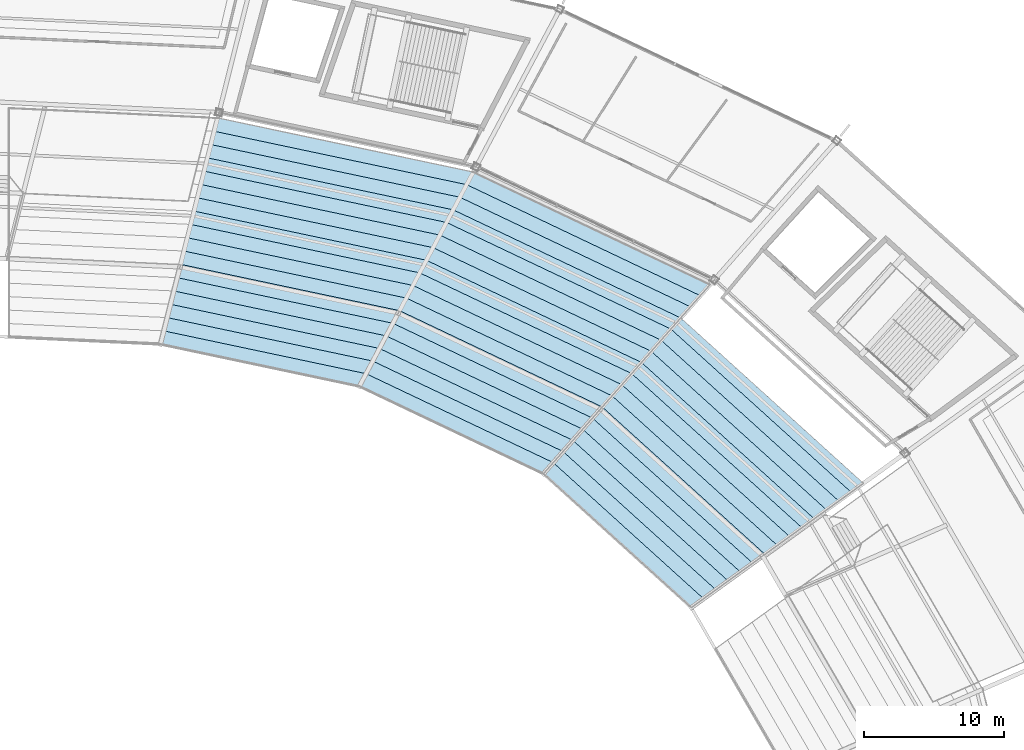
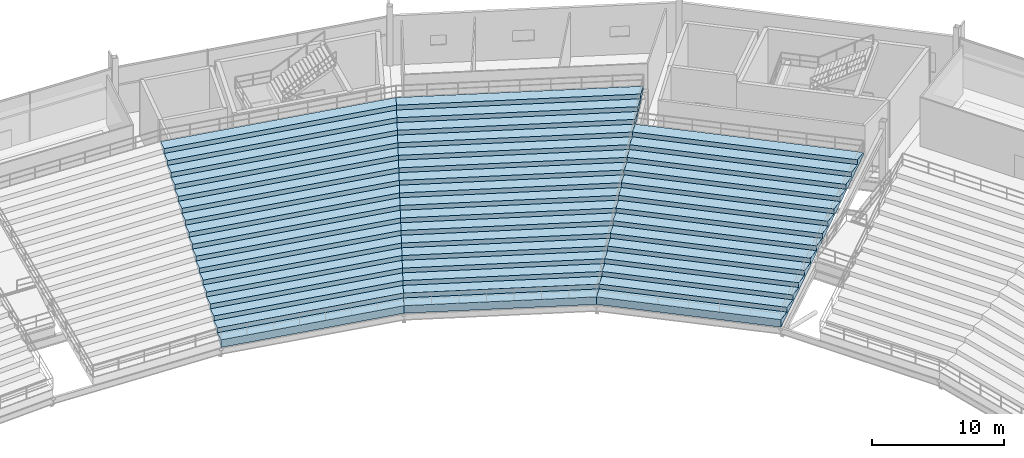
# One storey, part 139 of 186: 3 slabs.
"""IFC4 building model written with IfcOpenShell, lengths in metres."""

import ifcopenshell
import ifcopenshell.guid

model = None  # the IFC model being written
_history = None  # IfcOwnerHistory: only IFC2X3 demands one
_inside = {}  # id of a spatial element -> (the spatial element, [elements in it])
_under = {}  # id of a project, library or spatial element -> (it, [spatial elements below it])
_declared = {}  # id of a project -> (the project, [libraries it declares])
_typed = {}  # id of a type object -> (the type object, [elements of that type])
_made_of = {}  # id of a material, layer set ... -> (it, [elements and type objects made of it])


def new_model(schema):
    """Start an empty IFC model of exactly this schema.

    Asked for "IFC4X3", IfcOpenShell would pick the latest addendum, in which some entities
    have other attributes; the version numbers below select the first issue.
    IFC2X3 requires an IfcOwnerHistory on every rooted entity: one is made here for all.
    """
    global model, _history
    if schema == "IFC4X3":
        model = ifcopenshell.file(schema_version=(4, 3, 0, 0))
    else:
        model = ifcopenshell.file(schema=schema)
    _inside.clear()
    _under.clear()
    _declared.clear()
    _typed.clear()
    _made_of.clear()
    _history = None
    if model.schema == "IFC2X3":
        org = make("IfcOrganization", Name="unknown")
        user = make(
            "IfcPersonAndOrganization",
            ThePerson=make("IfcPerson", FamilyName="unknown"),
            TheOrganization=org,
        )
        app = make(
            "IfcApplication",
            ApplicationDeveloper=org,
            Version="unknown",
            ApplicationFullName="unknown",
            ApplicationIdentifier="unknown",
        )
        _history = make(
            "IfcOwnerHistory",
            OwningUser=user,
            OwningApplication=app,
            ChangeAction="ADDED",
            CreationDate=0,
        )
    return model


def make(cls, **values):
    """One entity of the class cls with the attributes given. An attribute that is None is left unset."""
    return model.create_entity(
        cls, **{name: value for name, value in values.items() if value is not None}
    )


def rooted(cls, **values):
    """An entity with a GlobalId (a new one), such as an element, a storey or a relation."""
    return make(cls, GlobalId=ifcopenshell.guid.new(), OwnerHistory=_history, **values)


def si_unit(unit_type, name, prefix=None):
    """IfcSIUnit, for example si_unit("LENGTHUNIT", "METRE", prefix="MILLI")."""
    return make("IfcSIUnit", UnitType=unit_type, Prefix=prefix, Name=name)


def assignment(units):
    """IfcUnitAssignment: the units of a project."""
    return None if units is None else make("IfcUnitAssignment", Units=units)


def point(xyz):
    """IfcCartesianPoint."""
    return None if xyz is None else make("IfcCartesianPoint", Coordinates=xyz)


def direction(xyz):
    """IfcDirection."""
    return None if xyz is None else make("IfcDirection", DirectionRatios=xyz)


def frame(location, z_axis=None, x_axis=None):
    """IfcAxis2Placement3D, a coordinate frame: its origin and axes. An axis left out is left unset."""
    return make(
        "IfcAxis2Placement3D",
        Location=point(location),
        Axis=direction(z_axis),
        RefDirection=direction(x_axis),
    )


def origin():
    """The frame at (0, 0, 0) with its axes left unset."""
    return frame((0.0, 0.0, 0.0))


def place(relative_to, where):
    """IfcLocalPlacement: puts the frame where relative to a parent placement (None: the world)."""
    return make(
        "IfcLocalPlacement", PlacementRelTo=relative_to, RelativePlacement=where
    )


def context(
    kind, dimensions, precision=None, world=None, true_north=None, identifier=None
):
    """IfcGeometricRepresentationContext, for example the 3D "Model" context."""
    return make(
        "IfcGeometricRepresentationContext",
        ContextIdentifier=identifier,
        ContextType=kind,
        CoordinateSpaceDimension=dimensions,
        Precision=precision,
        WorldCoordinateSystem=world,
        TrueNorth=true_north,
    )


def subcontext(parent, identifier, kind, view, scale=None):
    """IfcGeometricRepresentationSubContext, for example "Body" below "Model"."""
    return make(
        "IfcGeometricRepresentationSubContext",
        ContextIdentifier=identifier,
        ContextType=kind,
        ParentContext=parent,
        TargetScale=scale,
        TargetView=view,
    )


def project(units=None, contexts=None):
    """IfcProject with its units and contexts."""
    return rooted(
        "IfcProject",
        Name="project",
        RepresentationContexts=contexts,
        UnitsInContext=assignment(units),
    )


def spatial(cls, under=None, at=None, **own):
    """A site, building, storey or space (cls), placed at a placement, below another one or the project."""
    s = rooted(cls, ObjectPlacement=at, **own)
    if under is not None:
        _under.setdefault(under.id(), (under, []))[1].append(s)
    return s


def point_list(points):
    """IfcCartesianPointList2D or 3D."""
    cls = (
        "IfcCartesianPointList2D" if len(points[0]) == 2 else "IfcCartesianPointList3D"
    )
    return make(cls, CoordList=points)


def polygons(points, faces, closed=None, point_numbers=None):
    """IfcPolygonalFaceSet: a face is its outer loop, then its inner loops; points numbered from 1."""
    made = []
    for loops in faces:
        if len(loops) == 1:
            made.append(make("IfcIndexedPolygonalFace", CoordIndex=loops[0]))
        else:
            made.append(
                make(
                    "IfcIndexedPolygonalFaceWithVoids",
                    CoordIndex=loops[0],
                    InnerCoordIndices=loops[1:],
                )
            )
    return make(
        "IfcPolygonalFaceSet",
        Coordinates=point_list(points),
        Closed=closed,
        Faces=made,
        PnIndex=point_numbers,
    )


def shape(context_of_items, identifier, shape_type, items):
    """IfcShapeRepresentation: the items that make up one representation, for example the "Body"."""
    return make(
        "IfcShapeRepresentation",
        ContextOfItems=context_of_items,
        RepresentationIdentifier=identifier,
        RepresentationType=shape_type,
        Items=items,
    )


def material(Name=None, Category=None):
    """IfcMaterial."""
    return make("IfcMaterial", Name=Name, Category=Category)


def layer(
    of_material, thickness, ventilated=None, Name=None, Category=None, Priority=None
):
    """IfcMaterialLayer: one layer of a wall or slab, of a material (None: an air gap)."""
    return make(
        "IfcMaterialLayer",
        Material=of_material,
        LayerThickness=thickness,
        IsVentilated=ventilated,
        Name=Name,
        Category=Category,
        Priority=Priority,
    )


def layer_set(layers, Name=None):
    """IfcMaterialLayerSet."""
    return make("IfcMaterialLayerSet", MaterialLayers=layers, LayerSetName=Name)


def made_of(thing, what):
    """Note that an element or type object is made of a material, layer set ...; save() writes the relation."""
    if what is not None:
        _made_of.setdefault(what.id(), (what, []))[1].append(thing)
    return thing


def type_object(cls, material=None, **own):
    """A type object (cls), such as IfcWallType, which elements share."""
    return made_of(rooted(cls, **own), material)


def element(
    cls,
    number,
    at=None,
    inside=None,
    cuts=None,
    type_object=None,
    material=None,
    context=None,
    identifier="Body",
    shape_type=None,
    held_by="IfcProductDefinitionShape",
    body=None,
    shapes=None,
    **own,
):
    """One element of the class cls, such as IfcWall. Its Tag is "e" and its number.

    at: its placement. inside: the storey or other place that contains it. cuts: it is an
    opening in that element (IfcRelVoidsElement). A single representation is given by context,
    identifier, shape_type and body (its items); several are given by shapes. held_by: the class
    of the entity that holds the representations. save() writes the other relations.
    """
    e = rooted(cls, Tag="e%d" % number, ObjectPlacement=at, **own)
    if body is not None:
        shapes = [shape(context, identifier, shape_type, body)]
    if shapes is not None:
        e.Representation = make(held_by, Representations=shapes)
    if inside is not None:
        _inside.setdefault(inside.id(), (inside, []))[1].append(e)
    if cuts is not None:
        rooted(
            "IfcRelVoidsElement", RelatingBuildingElement=cuts, RelatedOpeningElement=e
        )
    if type_object is not None:
        _typed.setdefault(type_object.id(), (type_object, []))[1].append(e)
    return made_of(e, material)


def aggregate(whole, parts):
    """IfcRelAggregates: a whole, such as a stair, and the parts it consists of."""
    return rooted("IfcRelAggregates", RelatingObject=whole, RelatedObjects=parts)


def save(model, path):
    """Write the relations noted so far, then the file.

    IfcRelAggregates (storeys below a building ...), IfcRelContainedInSpatialStructure (elements
    in a storey), IfcRelDefinesByType, IfcRelAssociatesMaterial and IfcRelDeclares: one each for
    every whole, place, type object, material and project.
    """
    for whole, parts in _under.values():
        aggregate(whole, parts)
    for where, things in _inside.values():
        rooted(
            "IfcRelContainedInSpatialStructure",
            RelatedElements=things,
            RelatingStructure=where,
        )
    for kind, things in _typed.values():
        rooted("IfcRelDefinesByType", RelatedObjects=things, RelatingType=kind)
    for what, things in _made_of.values():
        rooted("IfcRelAssociatesMaterial", RelatedObjects=things, RelatingMaterial=what)
    for by, libraries in _declared.values():
        rooted("IfcRelDeclares", RelatingContext=by, RelatedDefinitions=libraries)
    model.write(path)


model = new_model("IFC4")

# Units and contexts
model_context = context("Model", 3, precision=1e-05, world=origin(), true_north=direction((0.0, 1.0)))
body_context = subcontext(model_context, "Body", "Model", "MODEL_VIEW")
ifc_project = project(units=[si_unit("LENGTHUNIT", "METRE"), si_unit("AREAUNIT", "SQUARE_METRE"), si_unit("VOLUMEUNIT", "CUBIC_METRE"), si_unit("PLANEANGLEUNIT", "RADIAN"), si_unit("MASSUNIT", "GRAM", prefix="KILO")], contexts=[model_context])

# Site, building, storey
site_placement = place(None, origin())
site = spatial("IfcSite", under=ifc_project, at=site_placement, CompositionType="ELEMENT")
building_placement = place(site_placement, origin())
building = spatial("IfcBuilding", under=site, at=building_placement, Name="Kazemori Nagisa Stadium", CompositionType="ELEMENT")
storey_placement = place(building_placement, frame((0.0, 0.0, 20.39990234375)))
storey = spatial("IfcBuildingStorey", under=building, at=storey_placement, Name="L04", CompositionType="ELEMENT", Elevation=20.39990234375)

# Slabs
ifc_material = material(Name="Concrete C36/45 (Fc36)", Category="concrete")
ifc_layer_1 = layer(ifc_material, 6.419921875, Name="Concrete C36/45 (Fc36)", Category="concrete")
ifc_layer_set_1 = layer_set([ifc_layer_1], Name="Concrete C36/45 (Fc36)")
slab_type_1 = type_object("IfcSlabType", Name="SeatingTier_ST-UP-14E", PredefinedType="USERDEFINED", material=ifc_layer_set_1)
slab_1_placement = place(storey_placement, frame((0.0, 0.0, -20.39990234375)))
element("IfcSlab", 1, at=slab_1_placement, inside=storey, type_object=slab_type_1, Name="Stand upper tier bay 04", ObjectType="SEATING TIER", PredefinedType="USERDEFINED", context=body_context, shape_type="Tessellation", body=[
    polygons([(164.627685546875, 149.254150390625, 18.820068359375), (164.627685546875, 149.254150390625, 19.52001953125), (165.328857421875, 150.050048828125, 19.52001953125), (165.328857421875, 150.050048828125, 19.9599609375), (166.02978515625, 150.845947265625, 19.9599609375), (166.02978515625, 150.845947265625, 20.39990234375), (166.73095703125, 151.641845703125, 20.39990234375), (166.73095703125, 151.641845703125, 20.83984375), (167.43212890625, 152.4375, 20.83984375), (167.43212890625, 152.4375, 21.27978515625), (168.13330078125, 153.2333984375, 21.27978515625), (168.13330078125, 153.2333984375, 21.7197265625), (168.834228515625, 154.029296875, 21.7197265625), (168.834228515625, 154.029296875, 22.15966796875), (169.535400390625, 154.8251953125, 22.15966796875), (169.535400390625, 154.8251953125, 22.599609375), (170.236572265625, 155.62109375, 22.599609375), (170.236572265625, 155.62109375, 23.03955078125), (170.9375, 156.4169921875, 23.03955078125), (170.9375, 156.4169921875, 23.4794921875), (171.638671875, 157.212890625, 23.4794921875), (171.638671875, 157.212890625, 23.91943359375), (172.33984375, 158.008544921875, 23.91943359375), (172.33984375, 158.008544921875, 24.359375), (173.041015625, 158.804443359375, 24.359375), (173.041015625, 158.804443359375, 24.79931640625), (173.741943359375, 159.600341796875, 24.79931640625), (173.741943359375, 159.600341796875, 25.2392578125), (174.443115234375, 160.396240234375, 25.2392578125), (174.443115234375, 160.396240234375, 24.979248046875), (173.741943359375, 159.600341796875, 24.539306640625), (173.041015625, 158.804443359375, 24.099365234375), (172.33984375, 158.008544921875, 23.659423828125), (171.638671875, 157.212890625, 23.219482421875), (170.9375, 156.4169921875, 22.779541015625), (170.236572265625, 155.62109375, 22.339599609375), (169.535400390625, 154.8251953125, 21.899658203125), (168.834228515625, 154.029296875, 21.459716796875), (168.13330078125, 153.2333984375, 21.019775390625), (167.43212890625, 152.4375, 20.579833984375), (166.73095703125, 151.641845703125, 20.139892578125), (166.02978515625, 150.845947265625, 19.699951171875), (165.328857421875, 150.050048828125, 19.260009765625), (175.199462890625, 139.68408203125, 18.820068359375), (175.199462890625, 139.68408203125, 19.52001953125), (176.07861328125, 140.31884765625, 19.52001953125), (176.07861328125, 140.31884765625, 19.9599609375), (176.957763671875, 140.953369140625, 19.9599609375), (176.957763671875, 140.953369140625, 20.39990234375), (177.8369140625, 141.588134765625, 20.39990234375), (177.8369140625, 141.588134765625, 20.83984375), (178.716064453125, 142.222900390625, 20.83984375), (178.716064453125, 142.222900390625, 21.27978515625), (179.59521484375, 142.857421875, 21.27978515625), (179.59521484375, 142.857421875, 21.7197265625), (180.474365234375, 143.4921875, 21.7197265625), (180.474365234375, 143.4921875, 22.15966796875), (181.353515625, 144.126953125, 22.15966796875), (181.353515625, 144.126953125, 22.599609375), (182.232666015625, 144.761474609375, 22.599609375), (182.232666015625, 144.761474609375, 23.03955078125), (183.11181640625, 145.396240234375, 23.03955078125), (183.11181640625, 145.396240234375, 23.4794921875), (183.990966796875, 146.03076171875, 23.4794921875), (183.990966796875, 146.03076171875, 23.91943359375), (184.8701171875, 146.66552734375, 23.91943359375), (184.8701171875, 146.66552734375, 24.359375), (185.749267578125, 147.30029296875, 24.359375), (185.749267578125, 147.30029296875, 24.79931640625), (186.62841796875, 147.934814453125, 24.79931640625), (186.62841796875, 147.934814453125, 25.2392578125), (187.507568359375, 148.569580078125, 25.2392578125), (187.507568359375, 148.569580078125, 24.979248046875), (186.62841796875, 147.934814453125, 24.539306640625), (185.749267578125, 147.30029296875, 24.099365234375), (184.8701171875, 146.66552734375, 23.659423828125), (183.990966796875, 146.03076171875, 23.219482421875), (183.11181640625, 145.396240234375, 22.779541015625), (182.232666015625, 144.761474609375, 22.339599609375), (181.353515625, 144.126953125, 21.899658203125), (180.474365234375, 143.4921875, 21.459716796875), (179.59521484375, 142.857421875, 21.019775390625), (178.716064453125, 142.222900390625, 20.579833984375), (177.8369140625, 141.588134765625, 20.139892578125), (176.957763671875, 140.953369140625, 19.699951171875), (176.07861328125, 140.31884765625, 19.260009765625)], [[[1, 44, 45]], [[1, 45, 2]], [[2, 45, 46]], [[2, 46, 3]], [[3, 46, 47]], [[3, 47, 4]], [[4, 47, 48]], [[4, 48, 5]], [[5, 48, 49]], [[5, 49, 6]], [[6, 49, 50]], [[6, 50, 7]], [[7, 50, 51]], [[7, 51, 8]], [[8, 51, 52]], [[8, 52, 9]], [[9, 52, 53]], [[9, 53, 10]], [[10, 53, 54]], [[10, 54, 11]], [[11, 54, 55]], [[11, 55, 12]], [[12, 55, 56]], [[12, 56, 13]], [[13, 56, 57]], [[13, 57, 14]], [[14, 57, 58]], [[14, 58, 15]], [[15, 58, 59]], [[15, 59, 16]], [[16, 59, 60]], [[16, 60, 17]], [[17, 60, 61]], [[17, 61, 18]], [[18, 61, 62]], [[18, 62, 19]], [[19, 62, 63]], [[19, 63, 20]], [[20, 63, 64]], [[20, 64, 21]], [[21, 64, 65]], [[21, 65, 22]], [[22, 65, 66]], [[22, 66, 23]], [[23, 66, 67]], [[23, 67, 24]], [[24, 67, 68]], [[24, 68, 25]], [[25, 68, 69]], [[25, 69, 26]], [[26, 69, 70]], [[26, 70, 27]], [[27, 70, 71]], [[27, 71, 28]], [[28, 71, 72]], [[28, 72, 29]], [[29, 72, 73]], [[29, 73, 30]], [[30, 73, 31]], [[31, 73, 74]], [[31, 74, 32]], [[32, 74, 75]], [[32, 75, 33]], [[33, 75, 76]], [[33, 76, 34]], [[34, 76, 77]], [[34, 77, 35]], [[35, 77, 78]], [[35, 78, 36]], [[36, 78, 79]], [[36, 79, 37]], [[37, 79, 80]], [[37, 80, 38]], [[38, 80, 81]], [[38, 81, 39]], [[39, 81, 82]], [[39, 82, 40]], [[40, 82, 83]], [[40, 83, 41]], [[41, 83, 84]], [[41, 84, 42]], [[42, 84, 85]], [[42, 85, 43]], [[43, 85, 86]], [[43, 86, 1]], [[1, 86, 44]], [[1, 2, 3]], [[46, 45, 44]], [[1, 3, 43]], [[86, 46, 44]], [[43, 3, 42]], [[85, 46, 86]], [[42, 3, 5]], [[48, 46, 85]], [[3, 4, 5]], [[48, 47, 46]], [[42, 5, 41]], [[84, 48, 85]], [[41, 5, 7]], [[50, 48, 84]], [[5, 6, 7]], [[50, 49, 48]], [[41, 7, 40]], [[83, 50, 84]], [[40, 7, 9]], [[52, 50, 83]], [[7, 8, 9]], [[52, 51, 50]], [[40, 9, 39]], [[82, 52, 83]], [[39, 9, 11]], [[54, 52, 82]], [[9, 10, 11]], [[54, 53, 52]], [[39, 11, 38]], [[81, 54, 82]], [[38, 11, 13]], [[56, 54, 81]], [[11, 12, 13]], [[56, 55, 54]], [[38, 13, 37]], [[80, 56, 81]], [[37, 13, 15]], [[58, 56, 80]], [[13, 14, 15]], [[58, 57, 56]], [[37, 15, 36]], [[79, 58, 80]], [[36, 15, 17]], [[60, 58, 79]], [[15, 16, 17]], [[60, 59, 58]], [[36, 17, 35]], [[78, 60, 79]], [[35, 17, 19]], [[62, 60, 78]], [[17, 18, 19]], [[62, 61, 60]], [[35, 19, 34]], [[77, 62, 78]], [[34, 19, 21]], [[64, 62, 77]], [[19, 20, 21]], [[64, 63, 62]], [[34, 21, 33]], [[76, 64, 77]], [[33, 21, 23]], [[66, 64, 76]], [[21, 22, 23]], [[66, 65, 64]], [[33, 23, 32]], [[75, 66, 76]], [[32, 23, 25]], [[68, 66, 75]], [[23, 24, 25]], [[68, 67, 66]], [[32, 25, 31]], [[74, 68, 75]], [[31, 25, 27]], [[70, 68, 74]], [[25, 26, 27]], [[70, 69, 68]], [[31, 27, 30]], [[73, 70, 74]], [[30, 27, 29]], [[72, 70, 73]], [[27, 28, 29]], [[72, 71, 70]]], closed=True),
])
ifc_layer_2 = layer(ifc_material, 7.739990234375, Name="Concrete C36/45 (Fc36)", Category="concrete")
ifc_layer_set_2 = layer_set([ifc_layer_2], Name="Concrete C36/45 (Fc36)")
slab_type_2 = type_object("IfcSlabType", Name="SeatingTier_ST-UP-17N", PredefinedType="USERDEFINED", material=ifc_layer_set_2)
slab_2_placement = place(storey_placement, frame((0.0, 0.0, -20.39990234375)))
element("IfcSlab", 2, at=slab_2_placement, inside=storey, type_object=slab_type_2, Name="Stand upper tier bay 05", ObjectType="SEATING TIER", PredefinedType="USERDEFINED", context=body_context, shape_type="Tessellation", body=[
    polygons([(151.465087890625, 155.5087890625, 18.820068359375), (151.465087890625, 155.5087890625, 19.52001953125), (151.944580078125, 156.409912109375, 19.52001953125), (151.944580078125, 156.409912109375, 19.9599609375), (152.423828125, 157.311279296875, 19.9599609375), (152.423828125, 157.311279296875, 20.39990234375), (152.9033203125, 158.21240234375, 20.39990234375), (152.9033203125, 158.21240234375, 20.83984375), (153.3828125, 159.113525390625, 20.83984375), (153.3828125, 159.113525390625, 21.27978515625), (153.8623046875, 160.0146484375, 21.27978515625), (153.8623046875, 160.0146484375, 21.7197265625), (154.341552734375, 160.916015625, 21.7197265625), (154.341552734375, 160.916015625, 22.15966796875), (154.821044921875, 161.817138671875, 22.15966796875), (154.821044921875, 161.817138671875, 22.599609375), (155.300537109375, 162.71826171875, 22.599609375), (155.300537109375, 162.71826171875, 23.03955078125), (155.77978515625, 163.61962890625, 23.03955078125), (155.77978515625, 163.61962890625, 23.4794921875), (156.25927734375, 164.520751953125, 23.4794921875), (156.25927734375, 164.520751953125, 23.91943359375), (156.73876953125, 165.421875, 23.91943359375), (156.73876953125, 165.421875, 24.359375), (157.218017578125, 166.3232421875, 24.359375), (157.218017578125, 166.3232421875, 24.79931640625), (157.697509765625, 167.224365234375, 24.79931640625), (157.697509765625, 167.224365234375, 25.2392578125), (158.177001953125, 168.12548828125, 25.2392578125), (158.177001953125, 168.12548828125, 25.67919921875), (158.656494140625, 169.026611328125, 25.67919921875), (158.656494140625, 169.026611328125, 26.119140625), (159.1357421875, 169.927978515625, 26.119140625), (159.1357421875, 169.927978515625, 26.55908203125), (159.615234375, 170.8291015625, 26.55908203125), (159.615234375, 170.8291015625, 26.299072265625), (159.1357421875, 169.927978515625, 25.859130859375), (158.656494140625, 169.026611328125, 25.419189453125), (158.177001953125, 168.12548828125, 24.979248046875), (157.697509765625, 167.224365234375, 24.539306640625), (157.218017578125, 166.3232421875, 24.099365234375), (156.73876953125, 165.421875, 23.659423828125), (156.25927734375, 164.520751953125, 23.219482421875), (155.77978515625, 163.61962890625, 22.779541015625), (155.300537109375, 162.71826171875, 22.339599609375), (154.821044921875, 161.817138671875, 21.899658203125), (154.341552734375, 160.916015625, 21.459716796875), (153.8623046875, 160.0146484375, 21.019775390625), (153.3828125, 159.113525390625, 20.579833984375), (152.9033203125, 158.21240234375, 20.139892578125), (152.423828125, 157.311279296875, 19.699951171875), (151.944580078125, 156.409912109375, 19.260009765625), (164.627685546875, 149.254150390625, 18.820068359375), (164.627685546875, 149.254150390625, 19.52001953125), (165.328857421875, 150.050048828125, 19.52001953125), (165.328857421875, 150.050048828125, 19.9599609375), (166.02978515625, 150.845947265625, 19.9599609375), (166.02978515625, 150.845947265625, 20.39990234375), (166.73095703125, 151.641845703125, 20.39990234375), (166.73095703125, 151.641845703125, 20.83984375), (167.43212890625, 152.437744140625, 20.83984375), (167.43212890625, 152.437744140625, 21.27978515625), (168.13330078125, 153.2333984375, 21.27978515625), (168.13330078125, 153.2333984375, 21.7197265625), (168.834228515625, 154.029296875, 21.7197265625), (168.834228515625, 154.029296875, 22.15966796875), (169.535400390625, 154.8251953125, 22.15966796875), (169.535400390625, 154.8251953125, 22.599609375), (170.236572265625, 155.62109375, 22.599609375), (170.236572265625, 155.62109375, 23.03955078125), (170.9375, 156.4169921875, 23.03955078125), (170.9375, 156.4169921875, 23.4794921875), (171.638671875, 157.212890625, 23.4794921875), (171.638671875, 157.212890625, 23.91943359375), (172.33984375, 158.0087890625, 23.91943359375), (172.33984375, 158.0087890625, 24.359375), (173.040771484375, 158.8046875, 24.359375), (173.040771484375, 158.8046875, 24.79931640625), (173.741943359375, 159.600341796875, 24.79931640625), (173.741943359375, 159.600341796875, 25.2392578125), (174.443115234375, 160.396240234375, 25.2392578125), (174.443115234375, 160.396240234375, 25.67919921875), (175.144287109375, 161.192138671875, 25.67919921875), (175.144287109375, 161.192138671875, 26.119140625), (175.84521484375, 161.988037109375, 26.119140625), (175.84521484375, 161.988037109375, 26.55908203125), (176.54638671875, 162.783935546875, 26.55908203125), (176.54638671875, 162.783935546875, 26.299072265625), (175.84521484375, 161.988037109375, 25.859130859375), (175.144287109375, 161.192138671875, 25.419189453125), (174.443115234375, 160.396240234375, 24.979248046875), (173.741943359375, 159.600341796875, 24.539306640625), (173.040771484375, 158.8046875, 24.099365234375), (172.33984375, 158.0087890625, 23.659423828125), (171.638671875, 157.212890625, 23.219482421875), (170.9375, 156.4169921875, 22.779541015625), (170.236572265625, 155.62109375, 22.339599609375), (169.535400390625, 154.8251953125, 21.899658203125), (168.834228515625, 154.029296875, 21.459716796875), (168.13330078125, 153.2333984375, 21.019775390625), (167.43212890625, 152.437744140625, 20.579833984375), (166.73095703125, 151.641845703125, 20.139892578125), (166.02978515625, 150.845947265625, 19.699951171875), (165.328857421875, 150.050048828125, 19.260009765625)], [[[1, 53, 54]], [[1, 54, 2]], [[2, 54, 55]], [[2, 55, 3]], [[3, 55, 56]], [[3, 56, 4]], [[4, 56, 57]], [[4, 57, 5]], [[5, 57, 58]], [[5, 58, 6]], [[6, 58, 59]], [[6, 59, 7]], [[7, 59, 60]], [[7, 60, 8]], [[8, 60, 61]], [[8, 61, 9]], [[9, 61, 62]], [[9, 62, 10]], [[10, 62, 63]], [[10, 63, 11]], [[11, 63, 64]], [[11, 64, 12]], [[12, 64, 65]], [[12, 65, 13]], [[13, 65, 66]], [[13, 66, 14]], [[14, 66, 67]], [[14, 67, 15]], [[15, 67, 68]], [[15, 68, 16]], [[16, 68, 69]], [[16, 69, 17]], [[17, 69, 70]], [[17, 70, 18]], [[18, 70, 71]], [[18, 71, 19]], [[19, 71, 72]], [[19, 72, 20]], [[20, 72, 73]], [[20, 73, 21]], [[21, 73, 74]], [[21, 74, 22]], [[22, 74, 75]], [[22, 75, 23]], [[23, 75, 76]], [[23, 76, 24]], [[24, 76, 77]], [[24, 77, 25]], [[25, 77, 78]], [[25, 78, 26]], [[26, 78, 79]], [[26, 79, 27]], [[27, 79, 80]], [[27, 80, 28]], [[28, 80, 81]], [[28, 81, 29]], [[29, 81, 82]], [[29, 82, 30]], [[30, 82, 83]], [[30, 83, 31]], [[31, 83, 84]], [[31, 84, 32]], [[32, 84, 85]], [[32, 85, 33]], [[33, 85, 86]], [[33, 86, 34]], [[34, 86, 87]], [[34, 87, 35]], [[35, 87, 88]], [[35, 88, 36]], [[36, 88, 37]], [[37, 88, 89]], [[37, 89, 38]], [[38, 89, 90]], [[38, 90, 39]], [[39, 90, 91]], [[39, 91, 40]], [[40, 91, 92]], [[40, 92, 41]], [[41, 92, 93]], [[41, 93, 42]], [[42, 93, 94]], [[42, 94, 43]], [[43, 94, 95]], [[43, 95, 44]], [[44, 95, 96]], [[44, 96, 45]], [[45, 96, 97]], [[45, 97, 46]], [[46, 97, 98]], [[46, 98, 47]], [[47, 98, 99]], [[47, 99, 48]], [[48, 99, 100]], [[48, 100, 49]], [[49, 100, 101]], [[49, 101, 50]], [[50, 101, 102]], [[50, 102, 51]], [[51, 102, 103]], [[51, 103, 52]], [[52, 103, 104]], [[52, 104, 1]], [[1, 104, 53]], [[1, 2, 3]], [[55, 54, 53]], [[1, 3, 52]], [[104, 55, 53]], [[52, 3, 51]], [[103, 55, 104]], [[51, 3, 5]], [[57, 55, 103]], [[3, 4, 5]], [[57, 56, 55]], [[51, 5, 50]], [[102, 57, 103]], [[50, 5, 7]], [[59, 57, 102]], [[5, 6, 7]], [[59, 58, 57]], [[50, 7, 49]], [[101, 59, 102]], [[49, 7, 9]], [[61, 59, 101]], [[7, 8, 9]], [[61, 60, 59]], [[49, 9, 48]], [[100, 61, 101]], [[48, 9, 11]], [[63, 61, 100]], [[9, 10, 11]], [[63, 62, 61]], [[48, 11, 47]], [[99, 63, 100]], [[47, 11, 13]], [[65, 63, 99]], [[11, 12, 13]], [[65, 64, 63]], [[47, 13, 46]], [[98, 65, 99]], [[46, 13, 15]], [[67, 65, 98]], [[13, 14, 15]], [[67, 66, 65]], [[46, 15, 45]], [[97, 67, 98]], [[45, 15, 17]], [[69, 67, 97]], [[15, 16, 17]], [[69, 68, 67]], [[45, 17, 44]], [[96, 69, 97]], [[44, 17, 19]], [[71, 69, 96]], [[17, 18, 19]], [[71, 70, 69]], [[44, 19, 43]], [[95, 71, 96]], [[43, 19, 21]], [[73, 71, 95]], [[19, 20, 21]], [[73, 72, 71]], [[43, 21, 42]], [[94, 73, 95]], [[42, 21, 23]], [[75, 73, 94]], [[21, 22, 23]], [[75, 74, 73]], [[42, 23, 41]], [[93, 75, 94]], [[41, 23, 25]], [[77, 75, 93]], [[23, 24, 25]], [[77, 76, 75]], [[41, 25, 40]], [[92, 77, 93]], [[40, 25, 27]], [[79, 77, 92]], [[25, 26, 27]], [[79, 78, 77]], [[40, 27, 39]], [[91, 79, 92]], [[39, 27, 29]], [[81, 79, 91]], [[27, 28, 29]], [[81, 80, 79]], [[39, 29, 38]], [[90, 81, 91]], [[38, 29, 31]], [[83, 81, 90]], [[29, 30, 31]], [[83, 82, 81]], [[38, 31, 37]], [[89, 83, 90]], [[37, 31, 33]], [[85, 83, 89]], [[31, 32, 33]], [[85, 84, 83]], [[37, 33, 36]], [[88, 85, 89]], [[36, 33, 35]], [[87, 85, 88]], [[33, 34, 35]], [[87, 86, 85]]], closed=True),
])
slab_3_placement = place(storey_placement, frame((0.0, 0.0, -20.39990234375)))
element("IfcSlab", 3, at=slab_3_placement, inside=storey, type_object=slab_type_2, Name="Stand upper tier bay 06", ObjectType="SEATING TIER", PredefinedType="USERDEFINED", context=body_context, shape_type="Tessellation", body=[
    polygons([(137.24951171875, 158.516357421875, 18.820068359375), (137.24951171875, 158.516357421875, 19.52001953125), (137.489501953125, 159.46826171875, 19.52001953125), (137.489501953125, 159.46826171875, 19.9599609375), (137.7294921875, 160.420166015625, 19.9599609375), (137.7294921875, 160.420166015625, 20.39990234375), (137.969482421875, 161.371826171875, 20.39990234375), (137.969482421875, 161.371826171875, 20.83984375), (138.20947265625, 162.32373046875, 20.83984375), (138.20947265625, 162.32373046875, 21.27978515625), (138.449462890625, 163.275634765625, 21.27978515625), (138.449462890625, 163.275634765625, 21.7197265625), (138.689453125, 164.2275390625, 21.7197265625), (138.689453125, 164.2275390625, 22.15966796875), (138.929443359375, 165.17919921875, 22.15966796875), (138.929443359375, 165.17919921875, 22.599609375), (139.16943359375, 166.131103515625, 22.599609375), (139.16943359375, 166.131103515625, 23.03955078125), (139.409423828125, 167.0830078125, 23.03955078125), (139.409423828125, 167.0830078125, 23.4794921875), (139.6494140625, 168.034912109375, 23.4794921875), (139.6494140625, 168.034912109375, 23.91943359375), (139.889404296875, 168.986572265625, 23.91943359375), (139.889404296875, 168.986572265625, 24.359375), (140.12939453125, 169.9384765625, 24.359375), (140.12939453125, 169.9384765625, 24.79931640625), (140.369384765625, 170.890380859375, 24.79931640625), (140.369384765625, 170.890380859375, 25.2392578125), (140.609375, 171.84228515625, 25.2392578125), (140.609375, 171.84228515625, 25.67919921875), (140.849365234375, 172.7939453125, 25.67919921875), (140.849365234375, 172.7939453125, 26.119140625), (141.08935546875, 173.745849609375, 26.119140625), (141.08935546875, 173.745849609375, 26.55908203125), (141.329345703125, 174.69775390625, 26.55908203125), (141.329345703125, 174.69775390625, 26.299072265625), (141.08935546875, 173.745849609375, 25.859130859375), (140.849365234375, 172.7939453125, 25.419189453125), (140.609375, 171.84228515625, 24.979248046875), (140.369384765625, 170.890380859375, 24.539306640625), (140.12939453125, 169.9384765625, 24.099365234375), (139.889404296875, 168.986572265625, 23.659423828125), (139.6494140625, 168.034912109375, 23.219482421875), (139.409423828125, 167.0830078125, 22.779541015625), (139.16943359375, 166.131103515625, 22.339599609375), (138.929443359375, 165.17919921875, 21.899658203125), (138.689453125, 164.2275390625, 21.459716796875), (138.449462890625, 163.275634765625, 21.019775390625), (138.20947265625, 162.32373046875, 20.579833984375), (137.969482421875, 161.371826171875, 20.139892578125), (137.7294921875, 160.420166015625, 19.699951171875), (137.489501953125, 159.46826171875, 19.260009765625), (151.465087890625, 155.5087890625, 18.820068359375), (151.465087890625, 155.5087890625, 19.52001953125), (151.944580078125, 156.409912109375, 19.52001953125), (151.944580078125, 156.409912109375, 19.9599609375), (152.423828125, 157.311279296875, 19.9599609375), (152.423828125, 157.311279296875, 20.39990234375), (152.9033203125, 158.21240234375, 20.39990234375), (152.9033203125, 158.21240234375, 20.83984375), (153.3828125, 159.113525390625, 20.83984375), (153.3828125, 159.113525390625, 21.27978515625), (153.8623046875, 160.0146484375, 21.27978515625), (153.8623046875, 160.0146484375, 21.7197265625), (154.341552734375, 160.916015625, 21.7197265625), (154.341552734375, 160.916015625, 22.15966796875), (154.821044921875, 161.817138671875, 22.15966796875), (154.821044921875, 161.817138671875, 22.599609375), (155.300537109375, 162.71826171875, 22.599609375), (155.300537109375, 162.71826171875, 23.03955078125), (155.77978515625, 163.61962890625, 23.03955078125), (155.77978515625, 163.61962890625, 23.4794921875), (156.25927734375, 164.520751953125, 23.4794921875), (156.25927734375, 164.520751953125, 23.91943359375), (156.73876953125, 165.421875, 23.91943359375), (156.73876953125, 165.421875, 24.359375), (157.218017578125, 166.3232421875, 24.359375), (157.218017578125, 166.3232421875, 24.79931640625), (157.697509765625, 167.224365234375, 24.79931640625), (157.697509765625, 167.224365234375, 25.2392578125), (158.177001953125, 168.12548828125, 25.2392578125), (158.177001953125, 168.12548828125, 25.67919921875), (158.656494140625, 169.026611328125, 25.67919921875), (158.656494140625, 169.026611328125, 26.119140625), (159.1357421875, 169.927978515625, 26.119140625), (159.1357421875, 169.927978515625, 26.55908203125), (159.615234375, 170.8291015625, 26.55908203125), (159.615234375, 170.8291015625, 26.299072265625), (159.1357421875, 169.927978515625, 25.859130859375), (158.656494140625, 169.026611328125, 25.419189453125), (158.177001953125, 168.12548828125, 24.979248046875), (157.697509765625, 167.224365234375, 24.539306640625), (157.218017578125, 166.3232421875, 24.099365234375), (156.73876953125, 165.421875, 23.659423828125), (156.25927734375, 164.520751953125, 23.219482421875), (155.77978515625, 163.61962890625, 22.779541015625), (155.300537109375, 162.71826171875, 22.339599609375), (154.821044921875, 161.817138671875, 21.899658203125), (154.341552734375, 160.916015625, 21.459716796875), (153.8623046875, 160.0146484375, 21.019775390625), (153.3828125, 159.113525390625, 20.579833984375), (152.9033203125, 158.21240234375, 20.139892578125), (152.423828125, 157.311279296875, 19.699951171875), (151.944580078125, 156.409912109375, 19.260009765625)], [[[1, 53, 54]], [[1, 54, 2]], [[2, 54, 55]], [[2, 55, 3]], [[3, 55, 56]], [[3, 56, 4]], [[4, 56, 57]], [[4, 57, 5]], [[5, 57, 58]], [[5, 58, 6]], [[6, 58, 59]], [[6, 59, 7]], [[7, 59, 60]], [[7, 60, 8]], [[8, 60, 61]], [[8, 61, 9]], [[9, 61, 62]], [[9, 62, 10]], [[10, 62, 63]], [[10, 63, 11]], [[11, 63, 64]], [[11, 64, 12]], [[12, 64, 65]], [[12, 65, 13]], [[13, 65, 66]], [[13, 66, 14]], [[14, 66, 67]], [[14, 67, 15]], [[15, 67, 68]], [[15, 68, 16]], [[16, 68, 69]], [[16, 69, 17]], [[17, 69, 70]], [[17, 70, 18]], [[18, 70, 71]], [[18, 71, 19]], [[19, 71, 72]], [[19, 72, 20]], [[20, 72, 73]], [[20, 73, 21]], [[21, 73, 74]], [[21, 74, 22]], [[22, 74, 75]], [[22, 75, 23]], [[23, 75, 76]], [[23, 76, 24]], [[24, 76, 77]], [[24, 77, 25]], [[25, 77, 78]], [[25, 78, 26]], [[26, 78, 79]], [[26, 79, 27]], [[27, 79, 80]], [[27, 80, 28]], [[28, 80, 81]], [[28, 81, 29]], [[29, 81, 82]], [[29, 82, 30]], [[30, 82, 83]], [[30, 83, 31]], [[31, 83, 84]], [[31, 84, 32]], [[32, 84, 85]], [[32, 85, 33]], [[33, 85, 86]], [[33, 86, 34]], [[34, 86, 87]], [[34, 87, 35]], [[35, 87, 88]], [[35, 88, 36]], [[36, 88, 37]], [[37, 88, 89]], [[37, 89, 38]], [[38, 89, 90]], [[38, 90, 39]], [[39, 90, 91]], [[39, 91, 40]], [[40, 91, 92]], [[40, 92, 41]], [[41, 92, 93]], [[41, 93, 42]], [[42, 93, 94]], [[42, 94, 43]], [[43, 94, 95]], [[43, 95, 44]], [[44, 95, 96]], [[44, 96, 45]], [[45, 96, 97]], [[45, 97, 46]], [[46, 97, 98]], [[46, 98, 47]], [[47, 98, 99]], [[47, 99, 48]], [[48, 99, 100]], [[48, 100, 49]], [[49, 100, 101]], [[49, 101, 50]], [[50, 101, 102]], [[50, 102, 51]], [[51, 102, 103]], [[51, 103, 52]], [[52, 103, 104]], [[52, 104, 1]], [[1, 104, 53]], [[1, 2, 3]], [[55, 54, 53]], [[1, 3, 52]], [[104, 55, 53]], [[52, 3, 51]], [[103, 55, 104]], [[51, 3, 5]], [[57, 55, 103]], [[3, 4, 5]], [[57, 56, 55]], [[51, 5, 50]], [[102, 57, 103]], [[50, 5, 7]], [[59, 57, 102]], [[5, 6, 7]], [[59, 58, 57]], [[50, 7, 49]], [[101, 59, 102]], [[49, 7, 9]], [[61, 59, 101]], [[7, 8, 9]], [[61, 60, 59]], [[49, 9, 48]], [[100, 61, 101]], [[48, 9, 11]], [[63, 61, 100]], [[9, 10, 11]], [[63, 62, 61]], [[48, 11, 47]], [[99, 63, 100]], [[47, 11, 13]], [[65, 63, 99]], [[11, 12, 13]], [[65, 64, 63]], [[47, 13, 46]], [[98, 65, 99]], [[46, 13, 15]], [[67, 65, 98]], [[13, 14, 15]], [[67, 66, 65]], [[46, 15, 45]], [[97, 67, 98]], [[45, 15, 17]], [[69, 67, 97]], [[15, 16, 17]], [[69, 68, 67]], [[45, 17, 44]], [[96, 69, 97]], [[44, 17, 19]], [[71, 69, 96]], [[17, 18, 19]], [[71, 70, 69]], [[44, 19, 43]], [[95, 71, 96]], [[43, 19, 21]], [[73, 71, 95]], [[19, 20, 21]], [[73, 72, 71]], [[43, 21, 42]], [[94, 73, 95]], [[42, 21, 23]], [[75, 73, 94]], [[21, 22, 23]], [[75, 74, 73]], [[42, 23, 41]], [[93, 75, 94]], [[41, 23, 25]], [[77, 75, 93]], [[23, 24, 25]], [[77, 76, 75]], [[41, 25, 40]], [[92, 77, 93]], [[40, 25, 27]], [[79, 77, 92]], [[25, 26, 27]], [[79, 78, 77]], [[40, 27, 39]], [[91, 79, 92]], [[39, 27, 29]], [[81, 79, 91]], [[27, 28, 29]], [[81, 80, 79]], [[39, 29, 38]], [[90, 81, 91]], [[38, 29, 31]], [[83, 81, 90]], [[29, 30, 31]], [[83, 82, 81]], [[38, 31, 37]], [[89, 83, 90]], [[37, 31, 33]], [[85, 83, 89]], [[31, 32, 33]], [[85, 84, 83]], [[37, 33, 36]], [[88, 85, 89]], [[36, 33, 35]], [[87, 85, 88]], [[33, 34, 35]], [[87, 86, 85]]], closed=True),
])

save(model, "model.ifc")
